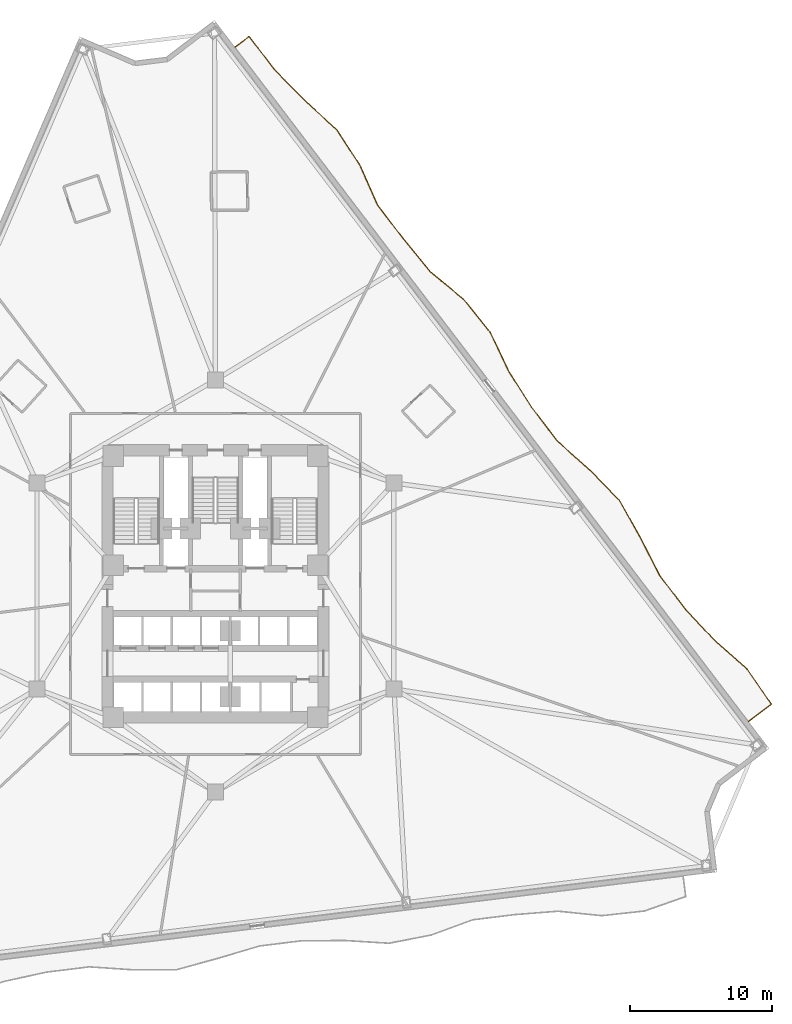
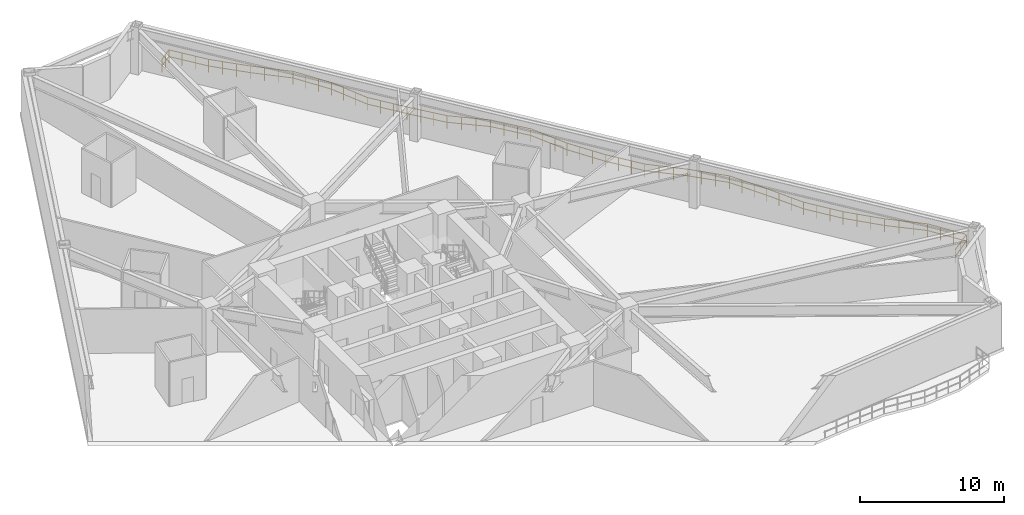
# One storey, part 10 of 10: 1 railing.
"""IFC4 building model written with IfcOpenShell, lengths in metres."""

from ifc_helpers import new_model, si_unit, direction, frame, origin, origin_2d, place, context, subcontext, project, spatial, rectangle, extrude, material, type_object, element, save


model = new_model("IFC4")

# Units and contexts
model_context = context("Model", 3, precision=1e-05, world=origin(), true_north=direction((0.0, 1.0)))
body_context = subcontext(model_context, "Body", "Model", "MODEL_VIEW")
ifc_project = project(units=[si_unit("LENGTHUNIT", "METRE"), si_unit("AREAUNIT", "SQUARE_METRE"), si_unit("VOLUMEUNIT", "CUBIC_METRE"), si_unit("PLANEANGLEUNIT", "RADIAN"), si_unit("MASSUNIT", "GRAM", prefix="KILO")], contexts=[model_context])

# Site, building, storey
site_placement = place(None, origin())
site = spatial("IfcSite", under=ifc_project, at=site_placement, CompositionType="ELEMENT")
building_placement = place(site_placement, origin())
building = spatial("IfcBuilding", under=site, at=building_placement, Name="Apsidion Concourse Tower", CompositionType="ELEMENT")
storey_placement = place(building_placement, frame((0.0, 0.0, 87.0)))
storey = spatial("IfcBuildingStorey", under=building, at=storey_placement, Name="L19", CompositionType="ELEMENT", Elevation=87.0)

# Railing
ifc_material = material(Name="Brushed stainless steel 316", Category="steel")
railing_type = type_object("IfcRailingType", Name="RL-BAL-1120", PredefinedType="BALUSTRADE", material=ifc_material)
railing_placement = place(storey_placement, frame((1.376708984375, 37.926513671875, 0.0)))
element("IfcRailing", 1, at=railing_placement, inside=storey, type_object=railing_type, Name="L19 Face 3 Rippling Balcony Balustrade", PredefinedType="BALUSTRADE", context=body_context, shape_type="SweptSolid", body=[
    extrude(rectangle(XDim=0.048095703125, YDim=0.048095703125, at=origin_2d()), frame((0.0, 0.0, 1.09619140625), z_axis=(0.795714098077, 0.605672414859, 0.0), x_axis=(-0.605672414859, 0.795714098077, 0.0)), (0.0, 0.0, 1.0), 1.25),
    extrude(rectangle(XDim=0.048095703125, YDim=0.048095703125, at=origin_2d()), frame((0.0, 0.0, 0.5361328125), z_axis=(0.795714098077, 0.605672414859, 0.0), x_axis=(-0.605672414859, 0.795714098077, 0.0)), (0.0, 0.0, 1.0), 1.25),
    extrude(rectangle(XDim=0.048095703125, YDim=0.048095703125, at=origin_2d()), frame((0.99462890625, 0.757080078125, 1.09619140625), z_axis=(0.605850845078, -0.795578251034, 0.0), x_axis=(0.795578251034, 0.605850845078, 0.0)), (0.0, 0.0, 1.0), 2.98291015625),
    extrude(rectangle(XDim=0.048095703125, YDim=0.048095703125, at=origin_2d()), frame((0.99462890625, 0.757080078125, 0.5361328125), z_axis=(0.605850845078, -0.795578251034, 0.0), x_axis=(0.795578251034, 0.605850845078, 0.0)), (0.0, 0.0, 1.0), 2.98291015625),
    extrude(rectangle(XDim=0.048095703125, YDim=0.048095703125, at=origin_2d()), frame((2.8017578125, -1.615966796875, 1.09619140625), z_axis=(0.701195677007, -0.712968879087, 0.0), x_axis=(0.712968879087, 0.701195677007, 0.0)), (0.0, 0.0, 1.0), 3.0068359375),
    extrude(rectangle(XDim=0.048095703125, YDim=0.048095703125, at=origin_2d()), frame((2.8017578125, -1.615966796875, 0.5361328125), z_axis=(0.701195677007, -0.712968879087, 0.0), x_axis=(0.712968879087, 0.701195677007, 0.0)), (0.0, 0.0, 1.0), 3.0068359375),
    extrude(rectangle(XDim=0.048095703125, YDim=0.048095703125, at=origin_2d()), frame((4.91015625, -3.759765625, 1.09619140625), z_axis=(0.739305880206, -0.673369746493, 0.0), x_axis=(0.673369746493, 0.739305880206, 0.0)), (0.0, 0.0, 1.0), 3.032470703125),
    extrude(rectangle(XDim=0.048095703125, YDim=0.048095703125, at=origin_2d()), frame((4.91015625, -3.759765625, 0.5361328125), z_axis=(0.739305880206, -0.673369746493, 0.0), x_axis=(0.673369746493, 0.739305880206, 0.0)), (0.0, 0.0, 1.0), 3.032470703125),
    extrude(rectangle(XDim=0.048095703125, YDim=0.048095703125, at=origin_2d()), frame((7.152099609375, -5.8017578125, 1.09619140625), z_axis=(0.54651676217, -0.837448164765, 0.0), x_axis=(0.837448164765, 0.54651676217, 0.0)), (0.0, 0.0, 1.0), 2.99072265625),
    extrude(rectangle(XDim=0.048095703125, YDim=0.048095703125, at=origin_2d()), frame((7.152099609375, -5.8017578125, 0.5361328125), z_axis=(0.54651676217, -0.837448164765, 0.0), x_axis=(0.837448164765, 0.54651676217, 0.0)), (0.0, 0.0, 1.0), 2.99072265625),
    extrude(rectangle(XDim=0.048095703125, YDim=0.048095703125, at=origin_2d()), frame((8.78662109375, -8.306396484375, 1.09619140625), z_axis=(0.405909394517, -0.913913323813, 0.0), x_axis=(0.913913323813, 0.405909394517, 0.0)), (0.0, 0.0, 1.0), 3.065673828125),
    extrude(rectangle(XDim=0.048095703125, YDim=0.048095703125, at=origin_2d()), frame((8.78662109375, -8.306396484375, 0.5361328125), z_axis=(0.405909394517, -0.913913323813, 0.0), x_axis=(0.913913323813, 0.405909394517, 0.0)), (0.0, 0.0, 1.0), 3.065673828125),
    extrude(rectangle(XDim=0.048095703125, YDim=0.048095703125, at=origin_2d()), frame((10.031005859375, -11.108154296875, 1.09619140625), z_axis=(0.605902647508, -0.795538799646, 0.0), x_axis=(0.795538799646, 0.605902647508, 0.0)), (0.0, 0.0, 1.0), 2.98291015625),
    extrude(rectangle(XDim=0.048095703125, YDim=0.048095703125, at=origin_2d()), frame((10.031005859375, -11.108154296875, 0.5361328125), z_axis=(0.605902647508, -0.795538799646, 0.0), x_axis=(0.795538799646, 0.605902647508, 0.0)), (0.0, 0.0, 1.0), 2.98291015625),
    extrude(rectangle(XDim=0.048095703125, YDim=0.048095703125, at=origin_2d()), frame((11.83837890625, -13.481201171875, 1.09619140625), z_axis=(0.633344685626, -0.773869827031, 0.0), x_axis=(0.773869827031, 0.633344685626, 0.0)), (0.0, 0.0, 1.0), 2.98486328125),
    extrude(rectangle(XDim=0.048095703125, YDim=0.048095703125, at=origin_2d()), frame((11.83837890625, -13.481201171875, 0.5361328125), z_axis=(0.633344685626, -0.773869827031, 0.0), x_axis=(0.773869827031, 0.633344685626, 0.0)), (0.0, 0.0, 1.0), 2.98486328125),
    extrude(rectangle(XDim=0.048095703125, YDim=0.048095703125, at=origin_2d()), frame((13.728759765625, -15.791015625, 1.09619140625), z_axis=(0.769676730127, -0.638433811057, 0.0), x_axis=(0.638433811057, 0.769676730127, 0.0)), (0.0, 0.0, 1.0), 3.06201171875),
    extrude(rectangle(XDim=0.048095703125, YDim=0.048095703125, at=origin_2d()), frame((13.728759765625, -15.791015625, 0.5361328125), z_axis=(0.769676730127, -0.638433811057, 0.0), x_axis=(0.638433811057, 0.769676730127, 0.0)), (0.0, 0.0, 1.0), 3.06201171875),
    extrude(rectangle(XDim=0.048095703125, YDim=0.048095703125, at=origin_2d()), frame((16.08544921875, -17.745849609375, 1.09619140625), z_axis=(0.628409469396, -0.777882728163, 0.0), x_axis=(0.777882728163, 0.628409469396, 0.0)), (0.0, 0.0, 1.0), 2.984130859375),
    extrude(rectangle(XDim=0.048095703125, YDim=0.048095703125, at=origin_2d()), frame((16.08544921875, -17.745849609375, 0.5361328125), z_axis=(0.628409469396, -0.777882728163, 0.0), x_axis=(0.777882728163, 0.628409469396, 0.0)), (0.0, 0.0, 1.0), 2.984130859375),
    extrude(rectangle(XDim=0.048095703125, YDim=0.048095703125, at=origin_2d()), frame((17.960693359375, -20.067138671875, 1.09619140625), z_axis=(0.430117042456, -0.902773133068, 0.0), x_axis=(0.902773133068, 0.430117042456, 0.0)), (0.0, 0.0, 1.0), 3.047607421875),
    extrude(rectangle(XDim=0.048095703125, YDim=0.048095703125, at=origin_2d()), frame((17.960693359375, -20.067138671875, 0.5361328125), z_axis=(0.430117042456, -0.902773133068, 0.0), x_axis=(0.902773133068, 0.430117042456, 0.0)), (0.0, 0.0, 1.0), 3.047607421875),
    extrude(rectangle(XDim=0.048095703125, YDim=0.048095703125, at=origin_2d()), frame((19.271484375, -22.818359375, 1.09619140625), z_axis=(0.53552925847, -0.84451667439, 0.0), x_axis=(0.84451667439, 0.53552925847, 0.0)), (0.0, 0.0, 1.0), 2.993896484375),
    extrude(rectangle(XDim=0.048095703125, YDim=0.048095703125, at=origin_2d()), frame((19.271484375, -22.818359375, 0.5361328125), z_axis=(0.53552925847, -0.84451667439, 0.0), x_axis=(0.84451667439, 0.53552925847, 0.0)), (0.0, 0.0, 1.0), 2.993896484375),
    extrude(rectangle(XDim=0.048095703125, YDim=0.048095703125, at=origin_2d()), frame((20.874755859375, -25.3466796875, 1.09619140625), z_axis=(0.605850845078, -0.795578251034, 0.0), x_axis=(0.795578251034, 0.605850845078, 0.0)), (0.0, 0.0, 1.0), 2.98291015625),
    extrude(rectangle(XDim=0.048095703125, YDim=0.048095703125, at=origin_2d()), frame((20.874755859375, -25.3466796875, 0.5361328125), z_axis=(0.605850845078, -0.795578251034, 0.0), x_axis=(0.795578251034, 0.605850845078, 0.0)), (0.0, 0.0, 1.0), 2.98291015625),
    extrude(rectangle(XDim=0.048095703125, YDim=0.048095703125, at=origin_2d()), frame((22.681884765625, -27.7197265625, 1.09619140625), z_axis=(0.745877775492, -0.666082835709, 0.0), x_axis=(0.666082835709, 0.745877775492, 0.0)), (0.0, 0.0, 1.0), 3.0380859375),
    extrude(rectangle(XDim=0.048095703125, YDim=0.048095703125, at=origin_2d()), frame((22.681884765625, -27.7197265625, 0.5361328125), z_axis=(0.745877775492, -0.666082835709, 0.0), x_axis=(0.666082835709, 0.745877775492, 0.0)), (0.0, 0.0, 1.0), 3.0380859375),
    extrude(rectangle(XDim=0.048095703125, YDim=0.048095703125, at=origin_2d()), frame((24.947998046875, -29.743408203125, 1.09619140625), z_axis=(0.699883012202, -0.714257495047, 0.0), x_axis=(0.714257495047, 0.699883012202, 0.0)), (0.0, 0.0, 1.0), 3.006103515625),
    extrude(rectangle(XDim=0.048095703125, YDim=0.048095703125, at=origin_2d()), frame((24.947998046875, -29.743408203125, 0.5361328125), z_axis=(0.699883012202, -0.714257495047, 0.0), x_axis=(0.714257495047, 0.699883012202, 0.0)), (0.0, 0.0, 1.0), 3.006103515625),
    extrude(rectangle(XDim=0.048095703125, YDim=0.048095703125, at=origin_2d()), frame((27.052001953125, -31.890625, 1.09619140625), z_axis=(0.488702080934, -0.872450729893, 0.0), x_axis=(0.872450729893, 0.488702080934, 0.0)), (0.0, 0.0, 1.0), 3.012451171875),
    extrude(rectangle(XDim=0.048095703125, YDim=0.048095703125, at=origin_2d()), frame((27.052001953125, -31.890625, 0.5361328125), z_axis=(0.488702080934, -0.872450729893, 0.0), x_axis=(0.872450729893, 0.488702080934, 0.0)), (0.0, 0.0, 1.0), 3.012451171875),
    extrude(rectangle(XDim=0.048095703125, YDim=0.048095703125, at=origin_2d()), frame((28.524169921875, -34.518798828125, 1.09619140625), z_axis=(0.457819561501, -0.889045133335, 0.0), x_axis=(0.889045133335, 0.457819561501, 0.0)), (0.0, 0.0, 1.0), 3.029541015625),
    extrude(rectangle(XDim=0.048095703125, YDim=0.048095703125, at=origin_2d()), frame((28.524169921875, -34.518798828125, 0.5361328125), z_axis=(0.457819561501, -0.889045133335, 0.0), x_axis=(0.889045133335, 0.457819561501, 0.0)), (0.0, 0.0, 1.0), 3.029541015625),
    extrude(rectangle(XDim=0.048095703125, YDim=0.048095703125, at=origin_2d()), frame((29.9111328125, -37.212158203125, 1.09619140625), z_axis=(0.605902647508, -0.795538799646, 0.0), x_axis=(0.795538799646, 0.605902647508, 0.0)), (0.0, 0.0, 1.0), 2.98291015625),
    extrude(rectangle(XDim=0.048095703125, YDim=0.048095703125, at=origin_2d()), frame((29.9111328125, -37.212158203125, 0.5361328125), z_axis=(0.605902647508, -0.795538799646, 0.0), x_axis=(0.795538799646, 0.605902647508, 0.0)), (0.0, 0.0, 1.0), 2.98291015625),
    extrude(rectangle(XDim=0.048095703125, YDim=0.048095703125, at=origin_2d()), frame((31.718505859375, -39.585205078125, 1.09619140625), z_axis=(0.68453128542, -0.728983483545, 0.0), x_axis=(0.728983483545, 0.68453128542, 0.0)), (0.0, 0.0, 1.0), 2.998779296875),
    extrude(rectangle(XDim=0.048095703125, YDim=0.048095703125, at=origin_2d()), frame((31.718505859375, -39.585205078125, 0.5361328125), z_axis=(0.68453128542, -0.728983483545, 0.0), x_axis=(0.728983483545, 0.68453128542, 0.0)), (0.0, 0.0, 1.0), 2.998779296875),
    extrude(rectangle(XDim=0.048095703125, YDim=0.048095703125, at=origin_2d()), frame((33.771240234375, -41.771240234375, 1.09619140625), z_axis=(0.749460599742, -0.662048947914, 0.0), x_axis=(0.662048947914, 0.749460599742, 0.0)), (0.0, 0.0, 1.0), 3.04150390625),
    extrude(rectangle(XDim=0.048095703125, YDim=0.048095703125, at=origin_2d()), frame((33.771240234375, -41.771240234375, 0.5361328125), z_axis=(0.749460599742, -0.662048947914, 0.0), x_axis=(0.662048947914, 0.749460599742, 0.0)), (0.0, 0.0, 1.0), 3.04150390625),
    extrude(rectangle(XDim=0.048095703125, YDim=0.048095703125, at=origin_2d()), frame((36.05078125, -43.784912109375, 1.09619140625), z_axis=(0.567201740135, -0.823578888746, 0.0), x_axis=(0.823578888746, 0.567201740135, 0.0)), (0.0, 0.0, 1.0), 2.986328125),
    extrude(rectangle(XDim=0.048095703125, YDim=0.048095703125, at=origin_2d()), frame((36.05078125, -43.784912109375, 0.5361328125), z_axis=(0.567201740135, -0.823578888746, 0.0), x_axis=(0.823578888746, 0.567201740135, 0.0)), (0.0, 0.0, 1.0), 2.986328125),
    extrude(rectangle(XDim=0.048095703125, YDim=0.048095703125, at=origin_2d()), frame((37.74462890625, -46.244384765625, 1.09619140625), z_axis=(-0.795590648604, -0.605834564756, 0.0), x_axis=(0.605834564756, -0.795590648604, 0.0)), (0.0, 0.0, 1.0), 2.009765625),
    extrude(rectangle(XDim=0.048095703125, YDim=0.048095703125, at=origin_2d()), frame((37.74462890625, -46.244384765625, 0.5361328125), z_axis=(-0.795590648604, -0.605834564756, 0.0), x_axis=(0.605834564756, -0.795590648604, 0.0)), (0.0, 0.0, 1.0), 2.009765625),
    extrude(rectangle(XDim=0.0419921875, YDim=0.0419921875, at=origin_2d()), origin(), (0.0, 0.0, 1.0), 1.072021484375),
    extrude(rectangle(XDim=0.0419921875, YDim=0.0419921875, at=origin_2d()), frame((0.497314453125, 0.37841796875, 0.0)), (0.0, 0.0, 1.0), 1.072021484375),
    extrude(rectangle(XDim=0.0419921875, YDim=0.0419921875, at=origin_2d()), frame((0.99462890625, 0.757080078125, 0.0)), (0.0, 0.0, 1.0), 1.072021484375),
    extrude(rectangle(XDim=0.0419921875, YDim=0.0419921875, at=origin_2d()), frame((1.596923828125, -0.033935546875, 0.0)), (0.0, 0.0, 1.0), 1.072021484375),
    extrude(rectangle(XDim=0.0419921875, YDim=0.0419921875, at=origin_2d()), frame((2.199462890625, -0.824951171875, 0.0)), (0.0, 0.0, 1.0), 1.072021484375),
    extrude(rectangle(XDim=0.0419921875, YDim=0.0419921875, at=origin_2d()), frame((2.8017578125, -1.615966796875, 0.0)), (0.0, 0.0, 1.0), 1.072021484375),
    extrude(rectangle(XDim=0.0419921875, YDim=0.0419921875, at=origin_2d()), frame((3.504638671875, -2.33056640625, 0.0)), (0.0, 0.0, 1.0), 1.072021484375),
    extrude(rectangle(XDim=0.0419921875, YDim=0.0419921875, at=origin_2d()), frame((4.207275390625, -3.045166015625, 0.0)), (0.0, 0.0, 1.0), 1.072021484375),
    extrude(rectangle(XDim=0.0419921875, YDim=0.0419921875, at=origin_2d()), frame((4.91015625, -3.759765625, 0.0)), (0.0, 0.0, 1.0), 1.072021484375),
    extrude(rectangle(XDim=0.0419921875, YDim=0.0419921875, at=origin_2d()), frame((5.657470703125, -4.4404296875, 0.0)), (0.0, 0.0, 1.0), 1.072021484375),
    extrude(rectangle(XDim=0.0419921875, YDim=0.0419921875, at=origin_2d()), frame((6.40478515625, -5.12109375, 0.0)), (0.0, 0.0, 1.0), 1.072021484375),
    extrude(rectangle(XDim=0.0419921875, YDim=0.0419921875, at=origin_2d()), frame((7.152099609375, -5.8017578125, 0.0)), (0.0, 0.0, 1.0), 1.072021484375),
    extrude(rectangle(XDim=0.0419921875, YDim=0.0419921875, at=origin_2d()), frame((7.697021484375, -6.63671875, 0.0)), (0.0, 0.0, 1.0), 1.072021484375),
    extrude(rectangle(XDim=0.0419921875, YDim=0.0419921875, at=origin_2d()), frame((8.24169921875, -7.471435546875, 0.0)), (0.0, 0.0, 1.0), 1.072021484375),
    extrude(rectangle(XDim=0.0419921875, YDim=0.0419921875, at=origin_2d()), frame((8.78662109375, -8.306396484375, 0.0)), (0.0, 0.0, 1.0), 1.072021484375),
    extrude(rectangle(XDim=0.0419921875, YDim=0.0419921875, at=origin_2d()), frame((9.201416015625, -9.240234375, 0.0)), (0.0, 0.0, 1.0), 1.072021484375),
    extrude(rectangle(XDim=0.0419921875, YDim=0.0419921875, at=origin_2d()), frame((9.6162109375, -10.17431640625, 0.0)), (0.0, 0.0, 1.0), 1.072021484375),
    extrude(rectangle(XDim=0.0419921875, YDim=0.0419921875, at=origin_2d()), frame((10.031005859375, -11.108154296875, 0.0)), (0.0, 0.0, 1.0), 1.072021484375),
    extrude(rectangle(XDim=0.0419921875, YDim=0.0419921875, at=origin_2d()), frame((10.633544921875, -11.899169921875, 0.0)), (0.0, 0.0, 1.0), 1.072021484375),
    extrude(rectangle(XDim=0.0419921875, YDim=0.0419921875, at=origin_2d()), frame((11.23583984375, -12.690185546875, 0.0)), (0.0, 0.0, 1.0), 1.072021484375),
    extrude(rectangle(XDim=0.0419921875, YDim=0.0419921875, at=origin_2d()), frame((11.83837890625, -13.481201171875, 0.0)), (0.0, 0.0, 1.0), 1.072021484375),
    extrude(rectangle(XDim=0.0419921875, YDim=0.0419921875, at=origin_2d()), frame((12.468505859375, -14.251220703125, 0.0)), (0.0, 0.0, 1.0), 1.072021484375),
    extrude(rectangle(XDim=0.0419921875, YDim=0.0419921875, at=origin_2d()), frame((13.0986328125, -15.02099609375, 0.0)), (0.0, 0.0, 1.0), 1.072021484375),
    extrude(rectangle(XDim=0.0419921875, YDim=0.0419921875, at=origin_2d()), frame((13.728759765625, -15.791015625, 0.0)), (0.0, 0.0, 1.0), 1.072021484375),
    extrude(rectangle(XDim=0.0419921875, YDim=0.0419921875, at=origin_2d()), frame((14.514404296875, -16.442626953125, 0.0)), (0.0, 0.0, 1.0), 1.072021484375),
    extrude(rectangle(XDim=0.0419921875, YDim=0.0419921875, at=origin_2d()), frame((15.2998046875, -17.09423828125, 0.0)), (0.0, 0.0, 1.0), 1.072021484375),
    extrude(rectangle(XDim=0.0419921875, YDim=0.0419921875, at=origin_2d()), frame((16.08544921875, -17.745849609375, 0.0)), (0.0, 0.0, 1.0), 1.072021484375),
    extrude(rectangle(XDim=0.0419921875, YDim=0.0419921875, at=origin_2d()), frame((16.71044921875, -18.51953125, 0.0)), (0.0, 0.0, 1.0), 1.072021484375),
    extrude(rectangle(XDim=0.0419921875, YDim=0.0419921875, at=origin_2d()), frame((17.335693359375, -19.29345703125, 0.0)), (0.0, 0.0, 1.0), 1.072021484375),
    extrude(rectangle(XDim=0.0419921875, YDim=0.0419921875, at=origin_2d()), frame((17.960693359375, -20.067138671875, 0.0)), (0.0, 0.0, 1.0), 1.072021484375),
    extrude(rectangle(XDim=0.0419921875, YDim=0.0419921875, at=origin_2d()), frame((18.397705078125, -20.984130859375, 0.0)), (0.0, 0.0, 1.0), 1.072021484375),
    extrude(rectangle(XDim=0.0419921875, YDim=0.0419921875, at=origin_2d()), frame((18.83447265625, -21.9013671875, 0.0)), (0.0, 0.0, 1.0), 1.072021484375),
    extrude(rectangle(XDim=0.0419921875, YDim=0.0419921875, at=origin_2d()), frame((19.271484375, -22.818359375, 0.0)), (0.0, 0.0, 1.0), 1.072021484375),
    extrude(rectangle(XDim=0.0419921875, YDim=0.0419921875, at=origin_2d()), frame((19.805908203125, -23.6611328125, 0.0)), (0.0, 0.0, 1.0), 1.072021484375),
    extrude(rectangle(XDim=0.0419921875, YDim=0.0419921875, at=origin_2d()), frame((20.34033203125, -24.50390625, 0.0)), (0.0, 0.0, 1.0), 1.072021484375),
    extrude(rectangle(XDim=0.0419921875, YDim=0.0419921875, at=origin_2d()), frame((20.874755859375, -25.3466796875, 0.0)), (0.0, 0.0, 1.0), 1.072021484375),
    extrude(rectangle(XDim=0.0419921875, YDim=0.0419921875, at=origin_2d()), frame((21.47705078125, -26.1376953125, 0.0)), (0.0, 0.0, 1.0), 1.072021484375),
    extrude(rectangle(XDim=0.0419921875, YDim=0.0419921875, at=origin_2d()), frame((22.07958984375, -26.9287109375, 0.0)), (0.0, 0.0, 1.0), 1.072021484375),
    extrude(rectangle(XDim=0.0419921875, YDim=0.0419921875, at=origin_2d()), frame((22.681884765625, -27.7197265625, 0.0)), (0.0, 0.0, 1.0), 1.072021484375),
    extrude(rectangle(XDim=0.0419921875, YDim=0.0419921875, at=origin_2d()), frame((23.437255859375, -28.394287109375, 0.0)), (0.0, 0.0, 1.0), 1.072021484375),
    extrude(rectangle(XDim=0.0419921875, YDim=0.0419921875, at=origin_2d()), frame((24.192626953125, -29.06884765625, 0.0)), (0.0, 0.0, 1.0), 1.072021484375),
    extrude(rectangle(XDim=0.0419921875, YDim=0.0419921875, at=origin_2d()), frame((24.947998046875, -29.743408203125, 0.0)), (0.0, 0.0, 1.0), 1.072021484375),
    extrude(rectangle(XDim=0.0419921875, YDim=0.0419921875, at=origin_2d()), frame((25.6494140625, -30.459228515625, 0.0)), (0.0, 0.0, 1.0), 1.072021484375),
    extrude(rectangle(XDim=0.0419921875, YDim=0.0419921875, at=origin_2d()), frame((26.3505859375, -31.1748046875, 0.0)), (0.0, 0.0, 1.0), 1.072021484375),
    extrude(rectangle(XDim=0.0419921875, YDim=0.0419921875, at=origin_2d()), frame((27.052001953125, -31.890625, 0.0)), (0.0, 0.0, 1.0), 1.072021484375),
    extrude(rectangle(XDim=0.0419921875, YDim=0.0419921875, at=origin_2d()), frame((27.542724609375, -32.7666015625, 0.0)), (0.0, 0.0, 1.0), 1.072021484375),
    extrude(rectangle(XDim=0.0419921875, YDim=0.0419921875, at=origin_2d()), frame((28.033447265625, -33.642822265625, 0.0)), (0.0, 0.0, 1.0), 1.072021484375),
    extrude(rectangle(XDim=0.0419921875, YDim=0.0419921875, at=origin_2d()), frame((28.524169921875, -34.518798828125, 0.0)), (0.0, 0.0, 1.0), 1.072021484375),
    extrude(rectangle(XDim=0.0419921875, YDim=0.0419921875, at=origin_2d()), frame((28.986572265625, -35.41650390625, 0.0)), (0.0, 0.0, 1.0), 1.072021484375),
    extrude(rectangle(XDim=0.0419921875, YDim=0.0419921875, at=origin_2d()), frame((29.44873046875, -36.314453125, 0.0)), (0.0, 0.0, 1.0), 1.072021484375),
    extrude(rectangle(XDim=0.0419921875, YDim=0.0419921875, at=origin_2d()), frame((29.9111328125, -37.212158203125, 0.0)), (0.0, 0.0, 1.0), 1.072021484375),
    extrude(rectangle(XDim=0.0419921875, YDim=0.0419921875, at=origin_2d()), frame((30.513671875, -38.003173828125, 0.0)), (0.0, 0.0, 1.0), 1.072021484375),
    extrude(rectangle(XDim=0.0419921875, YDim=0.0419921875, at=origin_2d()), frame((31.115966796875, -38.794189453125, 0.0)), (0.0, 0.0, 1.0), 1.072021484375),
    extrude(rectangle(XDim=0.0419921875, YDim=0.0419921875, at=origin_2d()), frame((31.718505859375, -39.585205078125, 0.0)), (0.0, 0.0, 1.0), 1.072021484375),
    extrude(rectangle(XDim=0.0419921875, YDim=0.0419921875, at=origin_2d()), frame((32.40283203125, -40.31396484375, 0.0)), (0.0, 0.0, 1.0), 1.072021484375),
    extrude(rectangle(XDim=0.0419921875, YDim=0.0419921875, at=origin_2d()), frame((33.0869140625, -41.04248046875, 0.0)), (0.0, 0.0, 1.0), 1.072021484375),
    extrude(rectangle(XDim=0.0419921875, YDim=0.0419921875, at=origin_2d()), frame((33.771240234375, -41.771240234375, 0.0)), (0.0, 0.0, 1.0), 1.072021484375),
    extrude(rectangle(XDim=0.0419921875, YDim=0.0419921875, at=origin_2d()), frame((34.531005859375, -42.4423828125, 0.0)), (0.0, 0.0, 1.0), 1.072021484375),
    extrude(rectangle(XDim=0.0419921875, YDim=0.0419921875, at=origin_2d()), frame((35.291015625, -43.11376953125, 0.0)), (0.0, 0.0, 1.0), 1.072021484375),
    extrude(rectangle(XDim=0.0419921875, YDim=0.0419921875, at=origin_2d()), frame((36.05078125, -43.784912109375, 0.0)), (0.0, 0.0, 1.0), 1.072021484375),
    extrude(rectangle(XDim=0.0419921875, YDim=0.0419921875, at=origin_2d()), frame((36.615478515625, -44.604736328125, 0.0)), (0.0, 0.0, 1.0), 1.072021484375),
    extrude(rectangle(XDim=0.0419921875, YDim=0.0419921875, at=origin_2d()), frame((37.179931640625, -45.424560546875, 0.0)), (0.0, 0.0, 1.0), 1.072021484375),
    extrude(rectangle(XDim=0.0419921875, YDim=0.0419921875, at=origin_2d()), frame((37.74462890625, -46.244384765625, 0.0)), (0.0, 0.0, 1.0), 1.072021484375),
    extrude(rectangle(XDim=0.0419921875, YDim=0.0419921875, at=origin_2d()), frame((36.9453125, -46.85302734375, 0.0)), (0.0, 0.0, 1.0), 1.072021484375),
    extrude(rectangle(XDim=0.0419921875, YDim=0.0419921875, at=origin_2d()), frame((36.145751953125, -47.4619140625, 0.0)), (0.0, 0.0, 1.0), 1.072021484375),
])

save(model, "model.ifc")
